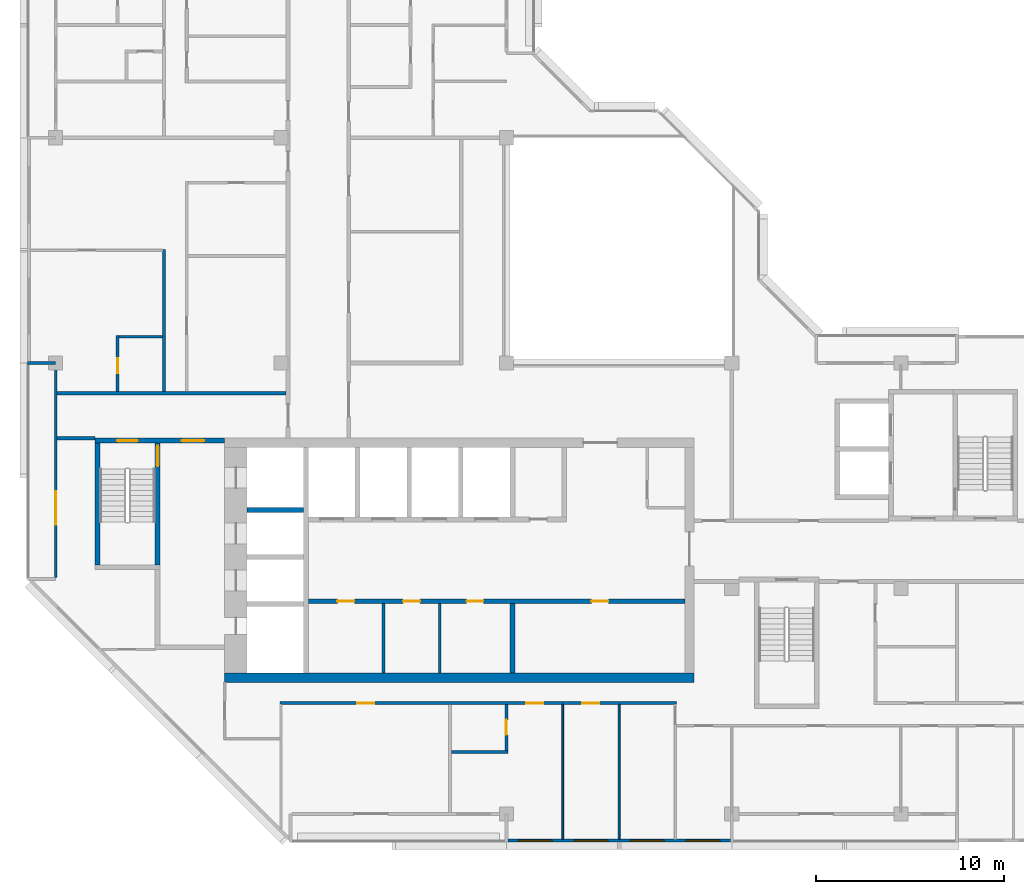
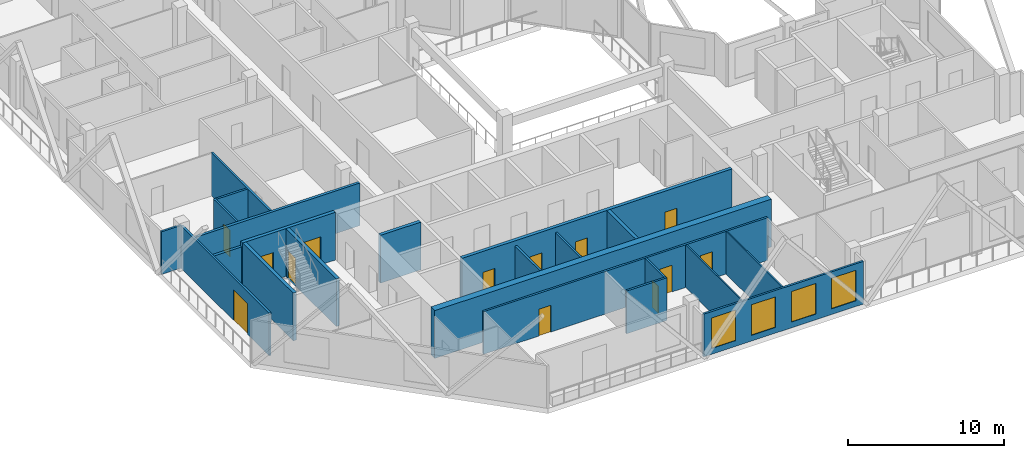
# One storey, part 4 of 12: 22 walls, 13 doors, 4 windows, 17 openings.
"""IFC4 building model written with IfcOpenShell, lengths in metres."""

from ifc_helpers import new_model, si_unit, direction, frame, frame_2d, origin, place, context, subcontext, project, spatial, rectangle, extrude, material, layer, layer_set, type_object, element, fill, save


model = new_model("IFC4")

# Units and contexts
model_context = context("Model", 3, precision=1e-05, world=origin(), true_north=direction((0.0, 1.0)))
body_context = subcontext(model_context, "Body", "Model", "MODEL_VIEW")
ifc_project = project(units=[si_unit("LENGTHUNIT", "METRE"), si_unit("AREAUNIT", "SQUARE_METRE"), si_unit("VOLUMEUNIT", "CUBIC_METRE"), si_unit("PLANEANGLEUNIT", "RADIAN"), si_unit("MASSUNIT", "GRAM", prefix="KILO")], contexts=[model_context])

# Site, building, storey
site_placement = place(None, origin())
site = spatial("IfcSite", under=ifc_project, at=site_placement, CompositionType="ELEMENT")
building_placement = place(site_placement, origin())
building = spatial("IfcBuilding", under=site, at=building_placement, Name="Chenar Terraces", CompositionType="ELEMENT")
storey_placement = place(building_placement, frame((0.0, 0.0, 346.39990234375)))
storey = spatial("IfcBuildingStorey", under=building, at=storey_placement, Name="L80", CompositionType="ELEMENT", Elevation=346.39990234375)

# Walls
ifc_material_1 = material(Name="Gypsum board on steel studs", Category="steel")
ifc_layer_1 = layer(ifc_material_1, 0.14990234375)
ifc_layer_set_1 = layer_set([ifc_layer_1], Name="Gypsum board on steel studs")
wall_type_1 = type_object("IfcWallType", Name="Core partition 150 gypsum board", PredefinedType="PARTITIONING", material=ifc_layer_set_1)
for number, where, z_axis, x_axis, name in (
    (1, (17.449951171875, 7.5, 0.0), (0.0, 0.0, 1.0), (0.0, 1.0, 0.0), "Core partition CP1 freed bay wall"),
    (2, (20.449951171875, 7.5, 0.0), (0.0, 0.0, 1.0), (0.0, 1.0, 0.0), "Core partition CP1 freed bay wall"),
):
    element("IfcWall", number, at=place(storey_placement, frame(where, z_axis=z_axis, x_axis=x_axis)), inside=storey, type_object=wall_type_1, Name=name, PredefinedType="PARTITIONING", context=body_context, shape_type="SweptSolid", body=[
        extrude(rectangle(XDim=3.699951171875, YDim=0.14990234375, at=frame_2d((1.85009765625, 0.0))), origin(), (0.0, 0.0, 1.0), 3.35009765625),
    ])

# Wall, openings, doors
ifc_material_2 = material(Name="Concrete C50/60", Category="concrete")
ifc_layer_2 = layer(ifc_material_2, 0.25)
ifc_layer_set_2 = layer_set([ifc_layer_2], Name="Concrete C50/60")
wall_type_2 = type_object("IfcWallType", Name="Core wall 250 Concrete C50/60", PredefinedType="SHEAR", material=ifc_layer_set_2)
wall_1_placement = place(storey_placement, frame((13.449951171875, 11.324951171875, 0.0), z_axis=(0.0, 0.0, 1.0), x_axis=(1.0, 0.0, 0.0)))
wall_1 = element("IfcWall", 3, at=wall_1_placement, inside=storey, type_object=wall_type_2, Name="Core wall SF L80", PredefinedType="SHEAR", context=body_context, shape_type="SweptSolid", body=[
    extrude(rectangle(XDim=20.050048828125, YDim=0.25, at=frame_2d((10.02490234375, 0.0))), origin(), (0.0, 0.0, 1.0), 3.75),
])
opening_1_placement = place(wall_1_placement, frame((1.550048828125, 0.0, 0.0)))
opening_1 = element("IfcOpeningElement", 4, at=opening_1_placement, cuts=wall_1, Name="Opening DL80-C12", PredefinedType="OPENING", context=body_context, shape_type="SweptSolid", body=[
    extrude(rectangle(XDim=0.89990234375, YDim=2.10009765625, at=frame_2d((0.449951171875, 1.050048828125))), frame((0.0, 0.135009765625, 0.0), z_axis=(0.0, -1.0, 0.0), x_axis=(1.0, 0.0, 0.0)), (0.0, 0.0, 1.0), 0.27001953125),
])
opening_2_placement = place(wall_1_placement, frame((5.050048828125, 0.0, 0.0)))
opening_2 = element("IfcOpeningElement", 5, at=opening_2_placement, cuts=wall_1, Name="Opening DL80-C13", PredefinedType="OPENING", context=body_context, shape_type="SweptSolid", body=[
    extrude(rectangle(XDim=0.89990234375, YDim=2.10009765625, at=frame_2d((0.449951171875, 1.050048828125))), frame((0.0, 0.135009765625, 0.0), z_axis=(0.0, -1.0, 0.0), x_axis=(1.0, 0.0, 0.0)), (0.0, 0.0, 1.0), 0.27001953125),
])
opening_3_placement = place(wall_1_placement, frame((8.425048828125, 0.0, 0.0)))
opening_3 = element("IfcOpeningElement", 6, at=opening_3_placement, cuts=wall_1, Name="Opening DL80-C14", PredefinedType="OPENING", context=body_context, shape_type="SweptSolid", body=[
    extrude(rectangle(XDim=0.89990234375, YDim=2.10009765625, at=frame_2d((0.449951171875, 1.050048828125))), frame((0.0, 0.135009765625, 0.0), z_axis=(0.0, -1.0, 0.0), x_axis=(1.0, 0.0, 0.0)), (0.0, 0.0, 1.0), 0.27001953125),
])
opening_4_placement = place(wall_1_placement, frame((15.074951171875, 0.0, 0.0)))
opening_4 = element("IfcOpeningElement", 7, at=opening_4_placement, cuts=wall_1, Name="Opening DL80-C15", PredefinedType="OPENING", context=body_context, shape_type="SweptSolid", body=[
    extrude(rectangle(XDim=0.89990234375, YDim=2.10009765625, at=frame_2d((0.449951171875, 1.050048828125))), frame((0.0, 0.135009765625, 0.0), z_axis=(0.0, -1.0, 0.0), x_axis=(1.0, 0.0, 0.0)), (0.0, 0.0, 1.0), 0.27001953125),
])
ifc_material_3 = material(Name="Steel-framed fire-resisting door leaf", Category="steel")
door_type_1 = type_object("IfcDoorType", Name="Riser fire door FD60 900 x 2100", OperationType="SINGLE_SWING_LEFT", PredefinedType="DOOR", material=ifc_material_3)
door_1_placement = place(opening_1_placement, frame((0.89990234375, 0.0, 0.0), z_axis=(0.0, 0.0, 1.0), x_axis=(-1.0, 0.0, 0.0)))
door_1 = element("IfcDoor", 8, at=door_1_placement, inside=storey, type_object=door_type_1, Name="Core room door DL80-C12", OperationType="SINGLE_SWING_LEFT", OverallHeight=2.10009765625, OverallWidth=0.89990234375, PredefinedType="DOOR", context=body_context, shape_type="SweptSolid", body=[
    extrude(rectangle(XDim=0.89990234375, YDim=2.10009765625, at=frame_2d((0.449951171875, 1.050048828125))), frame((0.0, 0.02490234375, 0.0), z_axis=(0.0, -1.0, 0.0), x_axis=(1.0, 0.0, 0.0)), (0.0, 0.0, 1.0), 0.050048828125),
])
fill(opening_1, door_1)
door_2_placement = place(opening_2_placement, frame((0.89990234375, 0.0, 0.0), z_axis=(0.0, 0.0, 1.0), x_axis=(-1.0, 0.0, 0.0)))
door_2 = element("IfcDoor", 9, at=door_2_placement, inside=storey, type_object=door_type_1, Name="Core room door DL80-C13", OperationType="SINGLE_SWING_LEFT", OverallHeight=2.10009765625, OverallWidth=0.89990234375, PredefinedType="DOOR", context=body_context, shape_type="SweptSolid", body=[
    extrude(rectangle(XDim=0.89990234375, YDim=2.10009765625, at=frame_2d((0.449951171875, 1.050048828125))), frame((0.0, 0.02490234375, 0.0), z_axis=(0.0, -1.0, 0.0), x_axis=(1.0, 0.0, 0.0)), (0.0, 0.0, 1.0), 0.050048828125),
])
fill(opening_2, door_2)
door_3_placement = place(opening_3_placement, frame((0.89990234375, 0.0, 0.0), z_axis=(0.0, 0.0, 1.0), x_axis=(-1.0, 0.0, 0.0)))
door_3 = element("IfcDoor", 10, at=door_3_placement, inside=storey, type_object=door_type_1, Name="Core room door DL80-C14", OperationType="SINGLE_SWING_RIGHT", OverallHeight=2.10009765625, OverallWidth=0.89990234375, PredefinedType="DOOR", context=body_context, shape_type="SweptSolid", body=[
    extrude(rectangle(XDim=0.89990234375, YDim=2.10009765625, at=frame_2d((0.449951171875, 1.050048828125))), frame((0.0, 0.02490234375, 0.0), z_axis=(0.0, -1.0, 0.0), x_axis=(1.0, 0.0, 0.0)), (0.0, 0.0, 1.0), 0.050048828125),
])
fill(opening_3, door_3)
door_4_placement = place(opening_4_placement, frame((0.89990234375, 0.0, 0.0), z_axis=(0.0, 0.0, 1.0), x_axis=(-1.0, 0.0, 0.0)))
door_4 = element("IfcDoor", 11, at=door_4_placement, inside=storey, type_object=door_type_1, Name="Core room door DL80-C15", OperationType="SINGLE_SWING_RIGHT", OverallHeight=2.10009765625, OverallWidth=0.89990234375, PredefinedType="DOOR", context=body_context, shape_type="SweptSolid", body=[
    extrude(rectangle(XDim=0.89990234375, YDim=2.10009765625, at=frame_2d((0.449951171875, 1.050048828125))), frame((0.0, 0.02490234375, 0.0), z_axis=(0.0, -1.0, 0.0), x_axis=(1.0, 0.0, 0.0)), (0.0, 0.0, 1.0), 0.050048828125),
])
fill(opening_4, door_4)

# Walls
wall_2_placement = place(storey_placement, frame((10.199951171875, 16.175048828125, 0.0), z_axis=(0.0, 0.0, 1.0), x_axis=(1.0, 0.0, 0.0)))
element("IfcWall", 12, at=wall_2_placement, inside=storey, type_object=wall_type_2, Name="Core wall HW2 L80", PredefinedType="SHEAR", context=body_context, shape_type="SweptSolid", body=[
    extrude(rectangle(XDim=3.0, YDim=0.25, at=frame_2d((1.5, 0.0))), origin(), (0.0, 0.0, 1.0), 3.75),
])
wall_3_placement = place(storey_placement, frame((24.324951171875, 7.5, 0.0), z_axis=(0.0, 0.0, 1.0), x_axis=(0.0, 1.0, 0.0)))
element("IfcWall", 13, at=wall_3_placement, inside=storey, type_object=wall_type_2, Name="Core wall SS3 L80", PredefinedType="SHEAR", context=body_context, shape_type="SweptSolid", body=[
    extrude(rectangle(XDim=3.699951171875, YDim=0.25, at=frame_2d((1.85009765625, 0.0))), origin(), (0.0, 0.0, 1.0), 3.75),
])

# Wall, openings, doors
wall_4_placement = place(storey_placement, frame((2.10009765625, 19.875, 0.0), z_axis=(0.0, 0.0, 1.0), x_axis=(1.0, 0.0, 0.0)))
wall_4 = element("IfcWall", 14, at=wall_4_placement, inside=storey, type_object=wall_type_2, Name="Core wall A_N L80", PredefinedType="SHEAR", context=body_context, shape_type="SweptSolid", body=[
    extrude(rectangle(XDim=6.89990234375, YDim=0.25, at=frame_2d((3.449951171875, 0.0))), origin(), (0.0, 0.0, 1.0), 3.75),
])
opening_5_placement = place(wall_4_placement, frame((1.175048828125, 0.0, 0.0)))
opening_5 = element("IfcOpeningElement", 15, at=opening_5_placement, cuts=wall_4, Name="Opening DL80-C5", PredefinedType="OPENING", context=body_context, shape_type="SweptSolid", body=[
    extrude(rectangle(XDim=1.10009765625, YDim=2.199951171875, at=frame_2d((0.550048828125, 1.10009765625))), frame((0.0, 0.135009765625, 0.0), z_axis=(0.0, -1.0, 0.0), x_axis=(1.0, 0.0, 0.0)), (0.0, 0.0, 1.0), 0.27001953125),
])
opening_6_placement = place(wall_4_placement, frame((4.60009765625, 0.0, 0.0)))
opening_6 = element("IfcOpeningElement", 16, at=opening_6_placement, cuts=wall_4, Name="Opening DL80-C6", PredefinedType="OPENING", context=body_context, shape_type="SweptSolid", body=[
    extrude(rectangle(XDim=1.199951171875, YDim=2.199951171875, at=frame_2d((0.60009765625, 1.10009765625))), frame((0.0, 0.135009765625, 0.0), z_axis=(0.0, -1.0, 0.0), x_axis=(1.0, 0.0, 0.0)), (0.0, 0.0, 1.0), 0.27001953125),
])
ifc_material_4 = material(Name="Steel-framed fire-resisting door leaf", Category="steel")
door_type_2 = type_object("IfcDoorType", Name="Lobby fire door FD60 1200 x 2200", OperationType="SINGLE_SWING_LEFT", PredefinedType="DOOR", material=ifc_material_4)
door_5_placement = place(opening_6_placement, frame((1.199951171875, 0.0, 0.0), z_axis=(0.0, 0.0, 1.0), x_axis=(-1.0, 0.0, 0.0)))
door_5 = element("IfcDoor", 17, at=door_5_placement, inside=storey, type_object=door_type_2, Name="Core door DL80-C6", OperationType="SINGLE_SWING_LEFT", OverallHeight=2.199951171875, OverallWidth=1.199951171875, PredefinedType="DOOR", context=body_context, shape_type="SweptSolid", body=[
    extrude(rectangle(XDim=1.199951171875, YDim=2.199951171875, at=frame_2d((0.60009765625, 1.10009765625))), frame((0.0, 0.02490234375, 0.0), z_axis=(0.0, -1.0, 0.0), x_axis=(1.0, 0.0, 0.0)), (0.0, 0.0, 1.0), 0.050048828125),
])
fill(opening_6, door_5)
ifc_material_5 = material(Name="Steel-framed fire-resisting door leaf", Category="steel")
door_type_3 = type_object("IfcDoorType", Name="Stair fire door FD60 1100 x 2200", OperationType="SINGLE_SWING_LEFT", PredefinedType="DOOR", material=ifc_material_5)
door_6_placement = place(opening_5_placement, origin())
door_6 = element("IfcDoor", 18, at=door_6_placement, inside=storey, type_object=door_type_3, Name="Stair door DL80-C5", OperationType="SINGLE_SWING_LEFT", OverallHeight=2.199951171875, OverallWidth=1.10009765625, PredefinedType="DOOR", context=body_context, shape_type="SweptSolid", body=[
    extrude(rectangle(XDim=1.10009765625, YDim=2.199951171875, at=frame_2d((0.550048828125, 1.10009765625))), frame((0.0, 0.02490234375, 0.0), z_axis=(0.0, -1.0, 0.0), x_axis=(1.0, 0.0, 0.0)), (0.0, 0.0, 1.0), 0.050048828125),
])
fill(opening_5, door_6)

# Wall
wall_5_placement = place(storey_placement, frame((2.22509765625, 13.25, 0.0), z_axis=(0.0, 0.0, 1.0), x_axis=(0.0, 1.0, 0.0)))
element("IfcWall", 19, at=wall_5_placement, inside=storey, type_object=wall_type_2, Name="Core wall ST1_W L80", PredefinedType="SHEAR", context=body_context, shape_type="SweptSolid", body=[
    extrude(rectangle(XDim=6.5, YDim=0.25, at=frame_2d((3.25, 0.0))), origin(), (0.0, 0.0, 1.0), 3.75),
])

# Wall, opening, door
wall_6_placement = place(storey_placement, frame((5.425048828125, 13.25, 0.0), z_axis=(0.0, 0.0, 1.0), x_axis=(0.0, 1.0, 0.0)))
wall_6 = element("IfcWall", 20, at=wall_6_placement, inside=storey, type_object=wall_type_2, Name="Core wall ST1_E L80", PredefinedType="SHEAR", context=body_context, shape_type="SweptSolid", body=[
    extrude(rectangle(XDim=6.5, YDim=0.25, at=frame_2d((3.25, 0.0))), origin(), (0.0, 0.0, 1.0), 3.75),
])
opening_7_placement = place(wall_6_placement, frame((5.25, 0.0, 0.0)))
opening_7 = element("IfcOpeningElement", 21, at=opening_7_placement, cuts=wall_6, Name="Opening DL80-C3", PredefinedType="OPENING", context=body_context, shape_type="SweptSolid", body=[
    extrude(rectangle(XDim=1.10009765625, YDim=2.199951171875, at=frame_2d((0.550048828125, 1.10009765625))), frame((0.0, 0.135009765625, 0.0), z_axis=(0.0, -1.0, 0.0), x_axis=(1.0, 0.0, 0.0)), (0.0, 0.0, 1.0), 0.27001953125),
])
door_7_placement = place(opening_7_placement, origin())
door_7 = element("IfcDoor", 22, at=door_7_placement, inside=storey, type_object=door_type_3, Name="Stair door DL80-C3", OperationType="SINGLE_SWING_RIGHT", OverallHeight=2.199951171875, OverallWidth=1.10009765625, PredefinedType="DOOR", context=body_context, shape_type="SweptSolid", body=[
    extrude(rectangle(XDim=1.10009765625, YDim=2.199951171875, at=frame_2d((0.550048828125, 1.10009765625))), frame((0.0, 0.02490234375, 0.0), z_axis=(0.0, -1.0, 0.0), x_axis=(1.0, 0.0, 0.0)), (0.0, 0.0, 1.0), 0.050048828125),
])
fill(opening_7, door_7)

# Walls
ifc_material_6 = material(Name="Concrete C50/60", Category="concrete")
ifc_layer_3 = layer(ifc_material_6, 0.5)
ifc_layer_set_3 = layer_set([ifc_layer_3], Name="Concrete C50/60")
wall_type_3 = type_object("IfcWallType", Name="Core wall 500 Concrete C50/60", PredefinedType="SHEAR", material=ifc_layer_set_3)
wall_7_placement = place(storey_placement, frame((9.0, 7.25, 0.0), z_axis=(0.0, 0.0, 1.0), x_axis=(1.0, 0.0, 0.0)))
element("IfcWall", 23, at=wall_7_placement, inside=storey, type_object=wall_type_3, Name="Core wall S L80", PredefinedType="SHEAR", context=body_context, shape_type="SweptSolid", body=[
    extrude(rectangle(XDim=25.0, YDim=0.5, at=frame_2d((12.5, 0.0))), origin(), (0.0, 0.0, 1.0), 3.75),
])
ifc_material_7 = material(Name="Gypsum board on steel studs with fire boards", Category="steel")
ifc_layer_4 = layer(ifc_material_7, 0.199951171875)
ifc_layer_set_4 = layer_set([ifc_layer_4], Name="Gypsum board on steel studs with fire boards")
wall_type_4 = type_object("IfcWallType", Name="Corridor wall 200", PredefinedType="PARTITIONING", material=ifc_layer_set_4)
wall_8_placement = place(storey_placement, frame((0.073974609375, 20.0, 0.0), z_axis=(0.0, 0.0, 1.0), x_axis=(1.0, 0.0, 0.0)))
element("IfcWall", 24, at=wall_8_placement, inside=storey, type_object=wall_type_4, Name="Partition L80-004", PredefinedType="PARTITIONING", context=body_context, shape_type="SweptSolid", body=[
    extrude(rectangle(XDim=2.026123046875, YDim=0.199951171875, at=frame_2d((1.01318359375, 0.0))), origin(), (0.0, 0.0, 1.0), 3.35009765625),
])
wall_9_placement = place(storey_placement, frame((0.073974609375, 22.39990234375, 0.0), z_axis=(0.0, 0.0, 1.0), x_axis=(1.0, 0.0, 0.0)))
element("IfcWall", 25, at=wall_9_placement, inside=storey, type_object=wall_type_4, Name="Partition L80-005", PredefinedType="PARTITIONING", context=body_context, shape_type="SweptSolid", body=[
    extrude(rectangle(XDim=12.200927734375, YDim=0.199951171875, at=frame_2d((6.1005859375, 0.0))), origin(), (0.0, 0.0, 1.0), 3.35009765625),
])

# Wall, openings, windows
ifc_material_8 = material(Name="Aluminium framed glazing", Category="aluminium")
ifc_layer_5 = layer(ifc_material_8, 0.14990234375)
ifc_layer_set_5 = layer_set([ifc_layer_5], Name="Aluminium framed glazing")
wall_type_5 = type_object("IfcWallType", Name="Glazed flush facade wall 150", PredefinedType="SOLIDWALL", material=ifc_layer_set_5)
wall_10_placement = place(storey_placement, frame((24.074951171875, -1.425048828125, 0.0), z_axis=(0.0, 0.0, 1.0), x_axis=(1.0, 0.0, 0.0)))
wall_10 = element("IfcWall", 26, at=wall_10_placement, inside=storey, type_object=wall_type_5, Name="Glazed flush facade wall", PredefinedType="SOLIDWALL", context=body_context, shape_type="SweptSolid", body=[
    extrude(rectangle(XDim=11.85009765625, YDim=0.14990234375, at=frame_2d((5.925048828125, 0.0))), origin(), (0.0, 0.0, 1.0), 3.35009765625),
])
opening_8_placement = place(wall_10_placement, frame((0.5625, 0.0, 0.449951171875)))
opening_8 = element("IfcOpeningElement", 27, at=opening_8_placement, cuts=wall_10, Name="Opening W180x240", PredefinedType="OPENING", context=body_context, shape_type="SweptSolid", body=[
    extrude(rectangle(XDim=1.800048828125, YDim=2.39990234375, at=frame_2d((0.89990234375, 1.199951171875))), frame((0.0, 0.0849609375, 0.0), z_axis=(0.0, -1.0, 0.0), x_axis=(1.0, 0.0, 0.0)), (0.0, 0.0, 1.0), 0.169921875),
])
opening_9_placement = place(wall_10_placement, frame((3.52490234375, 0.0, 0.449951171875)))
opening_9 = element("IfcOpeningElement", 28, at=opening_9_placement, cuts=wall_10, Name="Opening W180x240", PredefinedType="OPENING", context=body_context, shape_type="SweptSolid", body=[
    extrude(rectangle(XDim=1.800048828125, YDim=2.39990234375, at=frame_2d((0.89990234375, 1.199951171875))), frame((0.0, 0.0849609375, 0.0), z_axis=(0.0, -1.0, 0.0), x_axis=(1.0, 0.0, 0.0)), (0.0, 0.0, 1.0), 0.169921875),
])
opening_10_placement = place(wall_10_placement, frame((6.52490234375, 0.0, 0.449951171875)))
opening_10 = element("IfcOpeningElement", 29, at=opening_10_placement, cuts=wall_10, Name="Opening W180x240", PredefinedType="OPENING", context=body_context, shape_type="SweptSolid", body=[
    extrude(rectangle(XDim=1.800048828125, YDim=2.39990234375, at=frame_2d((0.89990234375, 1.199951171875))), frame((0.0, 0.0849609375, 0.0), z_axis=(0.0, -1.0, 0.0), x_axis=(1.0, 0.0, 0.0)), (0.0, 0.0, 1.0), 0.169921875),
])
opening_11_placement = place(wall_10_placement, frame((9.487548828125, 0.0, 0.449951171875)))
opening_11 = element("IfcOpeningElement", 30, at=opening_11_placement, cuts=wall_10, Name="Opening W180x240", PredefinedType="OPENING", context=body_context, shape_type="SweptSolid", body=[
    extrude(rectangle(XDim=1.800048828125, YDim=2.39990234375, at=frame_2d((0.89990234375, 1.199951171875))), frame((0.0, 0.0849609375, 0.0), z_axis=(0.0, -1.0, 0.0), x_axis=(1.0, 0.0, 0.0)), (0.0, 0.0, 1.0), 0.169921875),
])
ifc_material_9 = material(Name="Low emissivity double glazing, aluminium frame", Category="aluminium")
window_type = type_object("IfcWindowType", Name="Fixed light 1800 x 2400", PartitioningType="SINGLE_PANEL", PredefinedType="WINDOW", material=ifc_material_9)
window_1_placement = place(opening_8_placement, origin())
window_1 = element("IfcWindow", 31, at=window_1_placement, inside=storey, type_object=window_type, Name="Window", OverallHeight=2.39990234375, OverallWidth=1.800048828125, PartitioningType="SINGLE_PANEL", PredefinedType="WINDOW", context=body_context, shape_type="SweptSolid", body=[
    extrude(rectangle(XDim=1.800048828125, YDim=2.39990234375, at=frame_2d((0.89990234375, 1.199951171875))), frame((0.0, 0.030029296875, 0.0), z_axis=(0.0, -1.0, 0.0), x_axis=(1.0, 0.0, 0.0)), (0.0, 0.0, 1.0), 0.06005859375),
])
fill(opening_8, window_1)
window_2_placement = place(opening_9_placement, origin())
window_2 = element("IfcWindow", 32, at=window_2_placement, inside=storey, type_object=window_type, Name="Window", OverallHeight=2.39990234375, OverallWidth=1.800048828125, PartitioningType="SINGLE_PANEL", PredefinedType="WINDOW", context=body_context, shape_type="SweptSolid", body=[
    extrude(rectangle(XDim=1.800048828125, YDim=2.39990234375, at=frame_2d((0.89990234375, 1.199951171875))), frame((0.0, 0.030029296875, 0.0), z_axis=(0.0, -1.0, 0.0), x_axis=(1.0, 0.0, 0.0)), (0.0, 0.0, 1.0), 0.06005859375),
])
fill(opening_9, window_2)
window_3_placement = place(opening_10_placement, origin())
window_3 = element("IfcWindow", 33, at=window_3_placement, inside=storey, type_object=window_type, Name="Window", OverallHeight=2.39990234375, OverallWidth=1.800048828125, PartitioningType="SINGLE_PANEL", PredefinedType="WINDOW", context=body_context, shape_type="SweptSolid", body=[
    extrude(rectangle(XDim=1.800048828125, YDim=2.39990234375, at=frame_2d((0.89990234375, 1.199951171875))), frame((0.0, 0.030029296875, 0.0), z_axis=(0.0, -1.0, 0.0), x_axis=(1.0, 0.0, 0.0)), (0.0, 0.0, 1.0), 0.06005859375),
])
fill(opening_10, window_3)
window_4_placement = place(opening_11_placement, origin())
window_4 = element("IfcWindow", 34, at=window_4_placement, inside=storey, type_object=window_type, Name="Window", OverallHeight=2.39990234375, OverallWidth=1.800048828125, PartitioningType="SINGLE_PANEL", PredefinedType="WINDOW", context=body_context, shape_type="SweptSolid", body=[
    extrude(rectangle(XDim=1.800048828125, YDim=2.39990234375, at=frame_2d((0.89990234375, 1.199951171875))), frame((0.0, 0.030029296875, 0.0), z_axis=(0.0, -1.0, 0.0), x_axis=(1.0, 0.0, 0.0)), (0.0, 0.0, 1.0), 0.06005859375),
])
fill(opening_11, window_4)

# Wall, opening, door
ifc_material_10 = material(Name="Aluminium framed glazing", Category="aluminium")
ifc_layer_6 = layer(ifc_material_10, 0.14990234375)
ifc_layer_set_6 = layer_set([ifc_layer_6], Name="Aluminium framed glazing")
wall_type_6 = type_object("IfcWallType", Name="Glazed loggia back wall 150", PredefinedType="SOLIDWALL", material=ifc_layer_set_6)
wall_11_placement = place(storey_placement, frame((0.0, 23.925048828125, 0.0), z_axis=(0.0, 0.0, 1.0), x_axis=(0.0, -1.0, 0.0)))
wall_11 = element("IfcWall", 35, at=wall_11_placement, inside=storey, type_object=wall_type_6, Name="Glazed loggia back wall", PredefinedType="SOLIDWALL", context=body_context, shape_type="SweptSolid", body=[
    extrude(rectangle(XDim=11.35009765625, YDim=0.14990234375, at=frame_2d((5.675048828125, 0.0))), origin(), (0.0, 0.0, 1.0), 3.35009765625),
])
opening_12_placement = place(wall_11_placement, frame((6.737548828125, 0.0, 0.0)))
opening_12 = element("IfcOpeningElement", 36, at=opening_12_placement, cuts=wall_11, Name="Opening DL80-G2", PredefinedType="OPENING", context=body_context, shape_type="SweptSolid", body=[
    extrude(rectangle(XDim=1.800048828125, YDim=2.39990234375, at=frame_2d((0.89990234375, 1.199951171875))), frame((0.0, 0.0849609375, 0.0), z_axis=(0.0, -1.0, 0.0), x_axis=(1.0, 0.0, 0.0)), (0.0, 0.0, 1.0), 0.169921875),
])
ifc_material_11 = material(Name="Low emissivity double glazing, aluminium frame", Category="aluminium")
door_type_4 = type_object("IfcDoorType", Name="Loggia glazed double door 1800 x 2400", OperationType="DOUBLE_DOOR_SINGLE_SWING", PredefinedType="DOOR", material=ifc_material_11)
door_8_placement = place(opening_12_placement, frame((1.800048828125, 0.0, 0.0), z_axis=(0.0, 0.0, 1.0), x_axis=(-1.0, 0.0, 0.0)))
door_8 = element("IfcDoor", 37, at=door_8_placement, inside=storey, type_object=door_type_4, Name="Loggia glazed door", OperationType="DOUBLE_DOOR_SINGLE_SWING", OverallHeight=2.39990234375, OverallWidth=1.800048828125, PredefinedType="DOOR", context=body_context, shape_type="SweptSolid", body=[
    extrude(rectangle(XDim=1.800048828125, YDim=2.39990234375, at=frame_2d((0.89990234375, 1.199951171875))), frame((0.0, 0.02490234375, 0.0), z_axis=(0.0, -1.0, 0.0), x_axis=(1.0, 0.0, 0.0)), (0.0, 0.0, 1.0), 0.050048828125),
])
fill(opening_12, door_8)

# Walls
ifc_material_12 = material(Name="Gypsum board on steel studs", Category="steel")
ifc_layer_7 = layer(ifc_material_12, 0.10009765625)
ifc_layer_set_7 = layer_set([ifc_layer_7], Name="Gypsum board on steel studs")
wall_type_7 = type_object("IfcWallType", Name="Gypsum partition 100", PredefinedType="PARTITIONING", material=ifc_layer_set_7)
for number, where, z_axis, x_axis, name in (
    (38, (27.0, -1.35107421875, 0.0), (0.0, 0.0, 1.0), (0.0, 1.0, 0.0), "Partition L80-047"),
    (39, (30.0, -1.35107421875, 0.0), (0.0, 0.0, 1.0), (0.0, 1.0, 0.0), "Partition L80-048"),
):
    element("IfcWall", number, at=place(storey_placement, frame(where, z_axis=z_axis, x_axis=x_axis)), inside=storey, type_object=wall_type_7, Name=name, PredefinedType="PARTITIONING", context=body_context, shape_type="SweptSolid", body=[
        extrude(rectangle(XDim=7.176025390625, YDim=0.10009765625, at=frame_2d((3.587890625, 0.0))), origin(), (0.0, 0.0, 1.0), 3.35009765625),
    ])
ifc_material_13 = material(Name="Terracotta cladding on insulated backing", Category="masonry")
ifc_layer_8 = layer(ifc_material_13, 0.14990234375)
ifc_layer_set_8 = layer_set([ifc_layer_8], Name="Terracotta cladding on insulated backing")
wall_type_8 = type_object("IfcWallType", Name="Loggia return wall 150", PredefinedType="SOLIDWALL", material=ifc_layer_set_8)
wall_12_placement = place(storey_placement, frame((-1.5, 24.0, 0.0), z_axis=(0.0, 0.0, 1.0), x_axis=(1.0, 0.0, 0.0)))
element("IfcWall", 40, at=wall_12_placement, inside=storey, type_object=wall_type_8, Name="Loggia return wall", PredefinedType="SOLIDWALL", context=body_context, shape_type="SweptSolid", body=[
    extrude(rectangle(XDim=1.5, YDim=0.14990234375, at=frame_2d((0.75, 0.0))), origin(), (0.0, 0.0, 1.0), 3.35009765625),
])

# Wall, opening, door
ifc_material_14 = material(Name="Moisture-resistant gypsum board on steel studs", Category="steel")
ifc_layer_9 = layer(ifc_material_14, 0.14990234375)
ifc_layer_set_9 = layer_set([ifc_layer_9], Name="Moisture-resistant gypsum board on steel studs")
wall_type_9 = type_object("IfcWallType", Name="Wet-room partition 150", PredefinedType="PARTITIONING", material=ifc_layer_set_9)
wall_13_placement = place(storey_placement, frame((3.300048828125, 22.5, 0.0), z_axis=(0.0, 0.0, 1.0), x_axis=(0.0, 1.0, 0.0)))
wall_13 = element("IfcWall", 41, at=wall_13_placement, inside=storey, type_object=wall_type_9, Name="Partition L80-009", PredefinedType="PARTITIONING", context=body_context, shape_type="SweptSolid", body=[
    extrude(rectangle(XDim=2.97509765625, YDim=0.14990234375, at=frame_2d((1.487548828125, 0.0))), origin(), (0.0, 0.0, 1.0), 3.35009765625),
])
opening_13_placement = place(wall_13_placement, frame((0.949951171875, 0.0, 0.0)))
opening_13 = element("IfcOpeningElement", 42, at=opening_13_placement, cuts=wall_13, Name="Opening DL80-43", PredefinedType="OPENING", context=body_context, shape_type="SweptSolid", body=[
    extrude(rectangle(XDim=0.800048828125, YDim=2.10009765625, at=frame_2d((0.39990234375, 1.050048828125))), frame((0.0, 0.0849609375, 0.0), z_axis=(0.0, -1.0, 0.0), x_axis=(1.0, 0.0, 0.0)), (0.0, 0.0, 1.0), 0.169921875),
])
ifc_material_15 = material(Name="Veneered timber door leaf", Category="wood")
door_type_5 = type_object("IfcDoorType", Name="Door 800 x 2100", OperationType="SINGLE_SWING_LEFT", PredefinedType="DOOR", material=ifc_material_15)
door_9_placement = place(opening_13_placement, frame((0.800048828125, 0.0, 0.0), z_axis=(0.0, 0.0, 1.0), x_axis=(-1.0, 0.0, 0.0)))
door_9 = element("IfcDoor", 43, at=door_9_placement, inside=storey, type_object=door_type_5, Name="Door DL80-43", OperationType="SINGLE_SWING_RIGHT", OverallHeight=2.10009765625, OverallWidth=0.800048828125, PredefinedType="DOOR", context=body_context, shape_type="SweptSolid", body=[
    extrude(rectangle(XDim=0.800048828125, YDim=2.10009765625, at=frame_2d((0.39990234375, 1.050048828125))), frame((0.0, 0.02490234375, 0.0), z_axis=(0.0, -1.0, 0.0), x_axis=(1.0, 0.0, 0.0)), (0.0, 0.0, 1.0), 0.050048828125),
])
fill(opening_13, door_9)

# Walls
wall_14_placement = place(storey_placement, frame((3.375, 25.39990234375, 0.0), z_axis=(0.0, 0.0, 1.0), x_axis=(1.0, 0.0, 0.0)))
element("IfcWall", 44, at=wall_14_placement, inside=storey, type_object=wall_type_9, Name="Partition L80-011", PredefinedType="PARTITIONING", context=body_context, shape_type="SweptSolid", body=[
    extrude(rectangle(XDim=2.324951171875, YDim=0.14990234375, at=frame_2d((1.16259765625, 0.0))), origin(), (0.0, 0.0, 1.0), 3.35009765625),
])
wall_15_placement = place(storey_placement, frame((5.77490234375, 22.5, 0.0), z_axis=(0.0, 0.0, 1.0), x_axis=(0.0, 1.0, 0.0)))
element("IfcWall", 45, at=wall_15_placement, inside=storey, type_object=wall_type_9, Name="Partition L80-015", PredefinedType="PARTITIONING", context=body_context, shape_type="SweptSolid", body=[
    extrude(rectangle(XDim=7.550048828125, YDim=0.14990234375, at=frame_2d((3.77490234375, 0.0))), origin(), (0.0, 0.0, 1.0), 3.35009765625),
])

# Wall, openings, doors
wall_16_placement = place(storey_placement, frame((11.949951171875, 5.89990234375, 0.0), z_axis=(0.0, 0.0, 1.0), x_axis=(1.0, 0.0, 0.0)))
wall_16 = element("IfcWall", 46, at=wall_16_placement, inside=storey, type_object=wall_type_9, Name="Partition L80-028", PredefinedType="PARTITIONING", context=body_context, shape_type="SweptSolid", body=[
    extrude(rectangle(XDim=21.10009765625, YDim=0.14990234375, at=frame_2d((10.550048828125, 0.0))), origin(), (0.0, 0.0, 1.0), 3.35009765625),
])
opening_14_placement = place(wall_16_placement, frame((16.10009765625, 0.0, 0.0)))
opening_14 = element("IfcOpeningElement", 47, at=opening_14_placement, cuts=wall_16, Name="Opening DL80-26", PredefinedType="OPENING", context=body_context, shape_type="SweptSolid", body=[
    extrude(rectangle(XDim=0.89990234375, YDim=2.10009765625, at=frame_2d((0.449951171875, 1.050048828125))), frame((0.0, 0.0849609375, 0.0), z_axis=(0.0, -1.0, 0.0), x_axis=(1.0, 0.0, 0.0)), (0.0, 0.0, 1.0), 0.169921875),
])
opening_15_placement = place(wall_16_placement, frame((13.10009765625, 0.0, 0.0)))
opening_15 = element("IfcOpeningElement", 48, at=opening_15_placement, cuts=wall_16, Name="Opening DL80-34", PredefinedType="OPENING", context=body_context, shape_type="SweptSolid", body=[
    extrude(rectangle(XDim=0.89990234375, YDim=2.10009765625, at=frame_2d((0.449951171875, 1.050048828125))), frame((0.0, 0.0849609375, 0.0), z_axis=(0.0, -1.0, 0.0), x_axis=(1.0, 0.0, 0.0)), (0.0, 0.0, 1.0), 0.169921875),
])
opening_16_placement = place(wall_16_placement, frame((4.10009765625, 0.0, 0.0)))
opening_16 = element("IfcOpeningElement", 49, at=opening_16_placement, cuts=wall_16, Name="Opening DL80-39", PredefinedType="OPENING", context=body_context, shape_type="SweptSolid", body=[
    extrude(rectangle(XDim=0.89990234375, YDim=2.10009765625, at=frame_2d((0.449951171875, 1.050048828125))), frame((0.0, 0.0849609375, 0.0), z_axis=(0.0, -1.0, 0.0), x_axis=(1.0, 0.0, 0.0)), (0.0, 0.0, 1.0), 0.169921875),
])
ifc_material_16 = material(Name="Veneered timber door leaf", Category="wood")
door_type_6 = type_object("IfcDoorType", Name="Door 900 x 2100", OperationType="SINGLE_SWING_LEFT", PredefinedType="DOOR", material=ifc_material_16)
door_10_placement = place(opening_14_placement, frame((0.89990234375, 0.0, 0.0), z_axis=(0.0, 0.0, 1.0), x_axis=(-1.0, 0.0, 0.0)))
door_10 = element("IfcDoor", 50, at=door_10_placement, inside=storey, type_object=door_type_6, Name="Door DL80-26", OperationType="SINGLE_SWING_RIGHT", OverallHeight=2.10009765625, OverallWidth=0.89990234375, PredefinedType="DOOR", context=body_context, shape_type="SweptSolid", body=[
    extrude(rectangle(XDim=0.89990234375, YDim=2.10009765625, at=frame_2d((0.449951171875, 1.050048828125))), frame((0.0, 0.02490234375, 0.0), z_axis=(0.0, -1.0, 0.0), x_axis=(1.0, 0.0, 0.0)), (0.0, 0.0, 1.0), 0.050048828125),
])
fill(opening_14, door_10)
door_11_placement = place(opening_15_placement, frame((0.89990234375, 0.0, 0.0), z_axis=(0.0, 0.0, 1.0), x_axis=(-1.0, 0.0, 0.0)))
door_11 = element("IfcDoor", 51, at=door_11_placement, inside=storey, type_object=door_type_6, Name="Door DL80-34", OperationType="SINGLE_SWING_RIGHT", OverallHeight=2.10009765625, OverallWidth=0.89990234375, PredefinedType="DOOR", context=body_context, shape_type="SweptSolid", body=[
    extrude(rectangle(XDim=0.89990234375, YDim=2.10009765625, at=frame_2d((0.449951171875, 1.050048828125))), frame((0.0, 0.02490234375, 0.0), z_axis=(0.0, -1.0, 0.0), x_axis=(1.0, 0.0, 0.0)), (0.0, 0.0, 1.0), 0.050048828125),
])
fill(opening_15, door_11)
door_12_placement = place(opening_16_placement, frame((0.89990234375, 0.0, 0.0), z_axis=(0.0, 0.0, 1.0), x_axis=(-1.0, 0.0, 0.0)))
door_12 = element("IfcDoor", 52, at=door_12_placement, inside=storey, type_object=door_type_6, Name="Door DL80-39", OperationType="SINGLE_SWING_RIGHT", OverallHeight=2.10009765625, OverallWidth=0.89990234375, PredefinedType="DOOR", context=body_context, shape_type="SweptSolid", body=[
    extrude(rectangle(XDim=0.89990234375, YDim=2.10009765625, at=frame_2d((0.449951171875, 1.050048828125))), frame((0.0, 0.02490234375, 0.0), z_axis=(0.0, -1.0, 0.0), x_axis=(1.0, 0.0, 0.0)), (0.0, 0.0, 1.0), 0.050048828125),
])
fill(opening_16, door_12)

# Wall
wall_17_placement = place(storey_placement, frame((21.074951171875, 3.300048828125, 0.0), z_axis=(0.0, 0.0, 1.0), x_axis=(1.0, 0.0, 0.0)))
element("IfcWall", 53, at=wall_17_placement, inside=storey, type_object=wall_type_9, Name="Partition L80-044", PredefinedType="PARTITIONING", context=body_context, shape_type="SweptSolid", body=[
    extrude(rectangle(XDim=3.0, YDim=0.14990234375, at=frame_2d((1.5, 0.0))), origin(), (0.0, 0.0, 1.0), 3.35009765625),
])

# Wall, opening, door
wall_18_placement = place(storey_placement, frame((24.0, 3.375, 0.0), z_axis=(0.0, 0.0, 1.0), x_axis=(0.0, 1.0, 0.0)))
wall_18 = element("IfcWall", 54, at=wall_18_placement, inside=storey, type_object=wall_type_9, Name="Partition L80-046", PredefinedType="PARTITIONING", context=body_context, shape_type="SweptSolid", body=[
    extrude(rectangle(XDim=2.449951171875, YDim=0.14990234375, at=frame_2d((1.22509765625, 0.0))), origin(), (0.0, 0.0, 1.0), 3.35009765625),
])
opening_17_placement = place(wall_18_placement, frame((0.824951171875, 0.0, 0.0)))
opening_17 = element("IfcOpeningElement", 55, at=opening_17_placement, cuts=wall_18, Name="Opening DL80-36", PredefinedType="OPENING", context=body_context, shape_type="SweptSolid", body=[
    extrude(rectangle(XDim=0.800048828125, YDim=2.10009765625, at=frame_2d((0.39990234375, 1.050048828125))), frame((0.0, 0.0849609375, 0.0), z_axis=(0.0, -1.0, 0.0), x_axis=(1.0, 0.0, 0.0)), (0.0, 0.0, 1.0), 0.169921875),
])
door_13_placement = place(opening_17_placement, origin())
door_13 = element("IfcDoor", 56, at=door_13_placement, inside=storey, type_object=door_type_5, Name="Door DL80-36", OperationType="SINGLE_SWING_RIGHT", OverallHeight=2.10009765625, OverallWidth=0.800048828125, PredefinedType="DOOR", context=body_context, shape_type="SweptSolid", body=[
    extrude(rectangle(XDim=0.800048828125, YDim=2.10009765625, at=frame_2d((0.39990234375, 1.050048828125))), frame((0.0, 0.02490234375, 0.0), z_axis=(0.0, -1.0, 0.0), x_axis=(1.0, 0.0, 0.0)), (0.0, 0.0, 1.0), 0.050048828125),
])
fill(opening_17, door_13)

save(model, "model.ifc")
